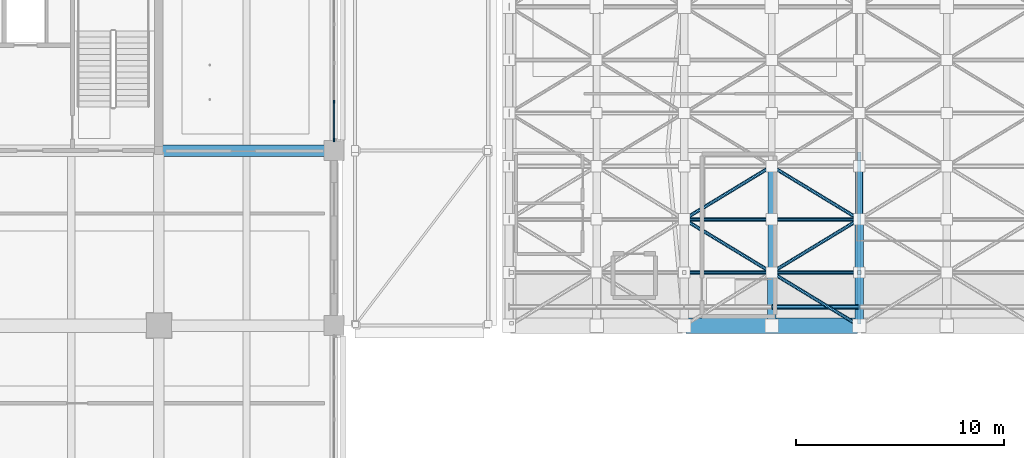
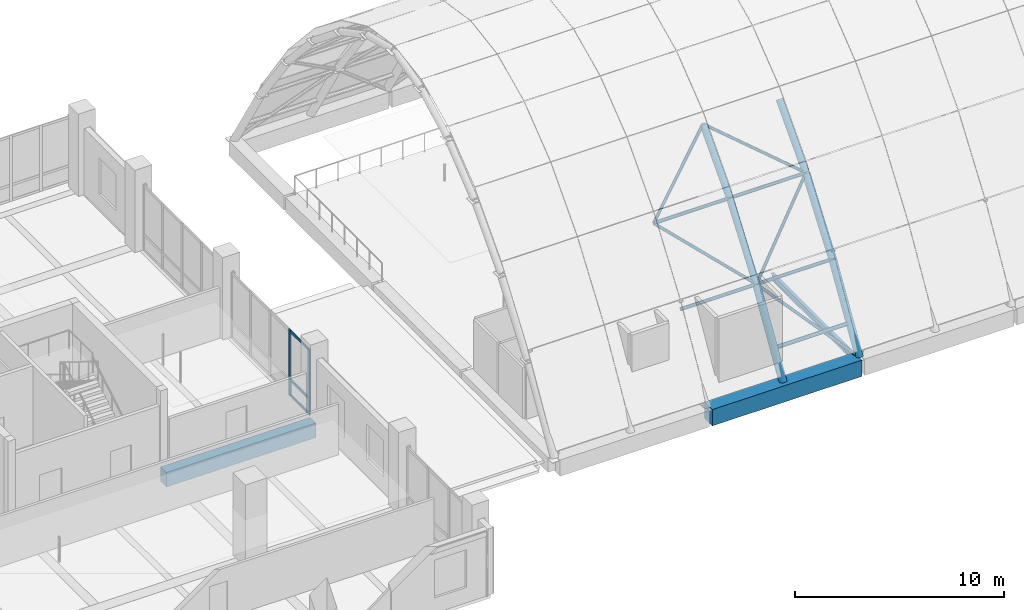
# One storey, part 23 of 128: 18 members, 6 beams, 1 element without a shape of its own.
"""IFC4 building model written with IfcOpenShell, lengths in metres."""

from ifc_helpers import new_model, si_unit, direction, frame, origin, origin_2d, place, context, subcontext, project, spatial, rectangle, hollow_circle, i_section, extrude, material, layer, layer_set, material_profile, profile_set, type_object, element, aggregate, save


model = new_model("IFC4")

# Units and contexts
model_context = context("Model", 3, precision=1e-05, world=origin(), true_north=direction((0.0, 1.0)))
body_context = subcontext(model_context, "Body", "Model", "MODEL_VIEW")
ifc_project = project(units=[si_unit("LENGTHUNIT", "METRE"), si_unit("AREAUNIT", "SQUARE_METRE"), si_unit("VOLUMEUNIT", "CUBIC_METRE"), si_unit("PLANEANGLEUNIT", "RADIAN"), si_unit("MASSUNIT", "GRAM", prefix="KILO")], contexts=[model_context])

# Site, building, storey
site_placement = place(None, origin())
site = spatial("IfcSite", under=ifc_project, at=site_placement, CompositionType="ELEMENT")
building_placement = place(site_placement, origin())
building = spatial("IfcBuilding", under=site, at=building_placement, Name="Telukmera Botanical Conservatory", CompositionType="ELEMENT")
storey_placement = place(building_placement, frame((0.0, 0.0, 5.39990234375)))
storey = spatial("IfcBuildingStorey", under=building, at=storey_placement, Name="L01", CompositionType="ELEMENT", Elevation=5.39990234375)

# Beams
ifc_material_1 = material(Name="Concrete C40/50", Category="concrete")
ifc_material_profile_1 = material_profile(ifc_material_1, rectangle(XDim=0.550048828125, YDim=0.85009765625, at=origin_2d()), Name="RC 550x850")
ifc_profile_set_1 = profile_set([ifc_material_profile_1], Name="Concrete C40/50")
beam_type_1 = type_object("IfcBeamType", Name="Beam_B4", PredefinedType="BEAM", material=ifc_profile_set_1)
beam_1_placement = place(storey_placement, frame((100.8798828125, 26.0, -0.4248046875), z_axis=(1.0, 0.0, 0.0), x_axis=(0.0, 1.0, 0.0)))
element("IfcBeam", 1, at=beam_1_placement, inside=storey, type_object=beam_type_1, Name="Tower Grid Beam L01", PredefinedType="BEAM", context=body_context, shape_type="SweptSolid", body=[
    extrude(rectangle(XDim=0.550048828125, YDim=0.85009765625, at=origin_2d()), origin(), (0.0, 0.0, 1.0), 8.240234375),
])
ifc_material_2 = material(Name="Steel S355", Category="steel")
ifc_material_profile_2 = material_profile(ifc_material_2, hollow_circle(Radius=0.203125, WallThickness=0.01611328125, at=origin_2d()), Name="CHS 406.4x16.0")
ifc_profile_set_2 = profile_set([ifc_material_profile_2], Name="Steel S355")
beam_type_2 = type_object("IfcBeamType", Name="Beam_GA1", PredefinedType="BEAM", material=ifc_profile_set_2)
beam_2_placement = place(storey_placement, frame((134.39990234375, 17.60009765625, -0.079833984375), z_axis=(0.0, 0.5205024389, 0.853860182406), x_axis=(-1.0, 0.0, 0.0)))
element("IfcBeam", 2, at=beam_2_placement, inside=storey, type_object=beam_type_2, Name="Conservatory Gridshell Primary Arch Rib A04-00", PredefinedType="BEAM", context=body_context, shape_type="SweptSolid", body=[
    extrude(hollow_circle(Radius=0.203125, WallThickness=0.01611328125, at=origin_2d()), origin(), (0.0, 0.0, 1.0), 4.879150390625),
])
beam_3_placement = place(storey_placement, frame((134.39990234375, 20.161865234375, 4.119384765625), z_axis=(0.0, 0.591606531355, 0.806226836603), x_axis=(-1.0, 0.0, 0.0)))
element("IfcBeam", 3, at=beam_3_placement, inside=storey, type_object=beam_type_2, Name="Conservatory Gridshell Primary Arch Rib A04-01", PredefinedType="BEAM", context=body_context, shape_type="SweptSolid", body=[
    extrude(hollow_circle(Radius=0.203125, WallThickness=0.01611328125, at=origin_2d()), origin(), (0.0, 0.0, 1.0), 4.270263671875),
])
ifc_material_profile_3 = material_profile(ifc_material_2, hollow_circle(Radius=0.177734375, WallThickness=0.012451171875, at=origin_2d()), Name="CHS 355.6x12.5")
ifc_profile_set_3 = profile_set([ifc_material_profile_3], Name="Steel S355")
beam_type_3 = type_object("IfcBeamType", Name="Beam_GA2", PredefinedType="BEAM", material=ifc_profile_set_3)
beam_4_placement = place(storey_placement, frame((134.39990234375, 22.713623046875, 7.593017578125), z_axis=(0.0, 0.677596185256, 0.7354341641), x_axis=(-1.0, 0.0, 0.0)))
element("IfcBeam", 4, at=beam_4_placement, inside=storey, type_object=beam_type_3, Name="Conservatory Gridshell Primary Arch Rib A04-02", PredefinedType="BEAM", context=body_context, shape_type="SweptSolid", body=[
    extrude(hollow_circle(Radius=0.177734375, WallThickness=0.012451171875, at=origin_2d()), origin(), (0.0, 0.0, 1.0), 3.722900390625),
])
ifc_material_profile_4 = material_profile(ifc_material_1, rectangle(XDim=0.75, YDim=0.949951171875, at=origin_2d()), Name="RC 750x950")
ifc_profile_set_4 = profile_set([ifc_material_profile_4], Name="Concrete C40/50")
beam_type_4 = type_object("IfcBeamType", Name="Beam_RB1", PredefinedType="BEAM", material=ifc_profile_set_4)
beam_5_placement = place(storey_placement, frame((126.080078125, 17.60009765625, -0.474853515625), z_axis=(1.0, 0.0, 0.0), x_axis=(0.0, 1.0, 0.0)))
element("IfcBeam", 5, at=beam_5_placement, inside=storey, type_object=beam_type_4, Name="Conservatory Beam beam:V1:L01:rb_x:176:1260", PredefinedType="BEAM", context=body_context, shape_type="SweptSolid", body=[
    extrude(rectangle(XDim=0.75, YDim=0.949951171875, at=origin_2d()), origin(), (0.0, 0.0, 1.0), 8.239990234375),
])
ifc_material_profile_5 = material_profile(ifc_material_2, i_section(OverallWidth=0.172119140625, OverallDepth=0.35791015625, WebThickness=0.008056640625, FlangeThickness=0.012939453125, FilletRadius=0.01025390625, at=origin_2d()), Name="UB 356x171x57")
ifc_profile_set_5 = profile_set([ifc_material_profile_5], Name="Steel S355")
beam_type_5 = type_object("IfcBeamType", Name="Beam_SB5", PredefinedType="JOIST", material=ifc_profile_set_5)
beam_6_placement = place(storey_placement, frame((134.39990234375, 17.679931640625, -0.37890625), z_axis=(0.0, 1.0, 0.0), x_axis=(-1.0, 0.0, 0.0)))
element("IfcBeam", 6, at=beam_6_placement, inside=storey, type_object=beam_type_5, Name="Conservatory Skywalk Transverse Steel Beam", PredefinedType="JOIST", context=body_context, shape_type="SweptSolid", body=[
    extrude(i_section(OverallWidth=0.172119140625, OverallDepth=0.35791015625, WebThickness=0.008056640625, FlangeThickness=0.012939453125, FilletRadius=0.01025390625, at=origin_2d()), origin(), (0.0, 0.0, 1.0), 8.239990234375),
])

# Curtain wall, members
ifc_material_3 = material(Name="Anodised aluminium 6063-T6", Category="aluminium")
ifc_layer = layer(ifc_material_3, 0.179931640625)
ifc_layer_set = layer_set([ifc_layer], Name="Anodised aluminium 6063-T6")
curtain_wall_type = type_object("IfcCurtainWallType", Name="Tower Reference Library Curtain Wall", PredefinedType="USERDEFINED", material=ifc_layer_set)
curtain_wall_placement = place(storey_placement, origin())
curtain_wall = element("IfcCurtainWall", 7, at=curtain_wall_placement, inside=storey, type_object=curtain_wall_type, Name="Unitised Curtain Wall CW13 V4:L01:E3", ObjectType="UNITISED CURTAIN WALL", PredefinedType="USERDEFINED")
ifc_material_profile_6 = material_profile(ifc_material_3, rectangle(XDim=0.06494140625, YDim=0.159912109375, at=origin_2d()), Name="ALU MULL 65x160")
ifc_profile_set_6 = profile_set([ifc_material_profile_6], Name="Anodised aluminium 6063-T6")
member_type_1 = type_object("IfcMemberType", Name="Curtain Wall Extruded Mullion 65x160", PredefinedType="MULLION", material=ifc_profile_set_6)
member_1_placement = place(storey_placement, frame((109.199951171875, 26.509521484375, 0.0), z_axis=(0.0, 0.0, 1.0), x_axis=(-1.0, 0.0, 0.0)))
member_1 = element("IfcMember", 8, at=member_1_placement, type_object=member_type_1, Name="CW13 mullion 1", PredefinedType="MULLION", context=body_context, shape_type="SweptSolid", body=[
    extrude(rectangle(XDim=0.06494140625, YDim=0.159912109375, at=origin_2d()), origin(), (0.0, 0.0, 1.0), 3.85009765625),
])
member_2_placement = place(storey_placement, frame((109.199951171875, 28.33837890625, 0.0), z_axis=(0.0, 0.0, 1.0), x_axis=(-1.0, 0.0, 0.0)))
member_2 = element("IfcMember", 9, at=member_2_placement, type_object=member_type_1, Name="CW13 mullion 2", PredefinedType="MULLION", context=body_context, shape_type="SweptSolid", body=[
    extrude(rectangle(XDim=0.06494140625, YDim=0.159912109375, at=origin_2d()), origin(), (0.0, 0.0, 1.0), 3.85009765625),
])
ifc_material_profile_7 = material_profile(ifc_material_3, rectangle(XDim=0.06494140625, YDim=0.1298828125, at=origin_2d()), Name="ALU TRAN 65x130")
ifc_profile_set_7 = profile_set([ifc_material_profile_7], Name="Anodised aluminium 6063-T6")
member_type_2 = type_object("IfcMemberType", Name="Curtain Wall Extruded Transom 65x130", PredefinedType="USERDEFINED", material=ifc_profile_set_7)
member_3_placement = place(storey_placement, frame((109.199951171875, 26.5419921875, 0.065185546875), z_axis=(0.0, 1.0, 0.0), x_axis=(-1.0, 0.0, 0.0)))
member_3 = element("IfcMember", 10, at=member_3_placement, type_object=member_type_2, Name="CW13 transom 1.1", ObjectType="TRANSOM", PredefinedType="USERDEFINED", context=body_context, shape_type="SweptSolid", body=[
    extrude(rectangle(XDim=0.06494140625, YDim=0.1298828125, at=origin_2d()), origin(), (0.0, 0.0, 1.0), 1.763916015625),
])
member_4_placement = place(storey_placement, frame((109.199951171875, 26.5419921875, 0.9501953125), z_axis=(0.0, 1.0, 0.0), x_axis=(-1.0, 0.0, 0.0)))
member_4 = element("IfcMember", 11, at=member_4_placement, type_object=member_type_2, Name="CW13 transom 1.2", ObjectType="TRANSOM", PredefinedType="USERDEFINED", context=body_context, shape_type="SweptSolid", body=[
    extrude(rectangle(XDim=0.06494140625, YDim=0.1298828125, at=origin_2d()), origin(), (0.0, 0.0, 1.0), 1.763916015625),
])
member_5_placement = place(storey_placement, frame((109.199951171875, 26.5419921875, 3.78515625), z_axis=(0.0, 1.0, 0.0), x_axis=(-1.0, 0.0, 0.0)))
member_5 = element("IfcMember", 12, at=member_5_placement, type_object=member_type_2, Name="CW13 transom 1.3", ObjectType="TRANSOM", PredefinedType="USERDEFINED", context=body_context, shape_type="SweptSolid", body=[
    extrude(rectangle(XDim=0.06494140625, YDim=0.1298828125, at=origin_2d()), origin(), (0.0, 0.0, 1.0), 1.763916015625),
])
aggregate(curtain_wall, [member_1, member_2, member_3, member_4, member_5])

# Members
ifc_material_profile_8 = material_profile(ifc_material_2, hollow_circle(Radius=0.084228515625, WallThickness=0.008056640625, at=origin_2d()), Name="CHS 168.3x8.0")
ifc_profile_set_8 = profile_set([ifc_material_profile_8], Name="Steel S355")
member_type_3 = type_object("IfcMemberType", Name="Mem_GBX1", PredefinedType="USERDEFINED", material=ifc_profile_set_8)
member_6_placement = place(storey_placement, frame((130.189453125, 20.156494140625, 4.11181640625), z_axis=(-0.697882692567, 0.423695562374, 0.577444211885), x_axis=(-0.518961193204, -0.854797800622, 0.0)))
element("IfcMember", 13, at=member_6_placement, inside=storey, type_object=member_type_3, Name="Conservatory Gridshell Diagrid Lacing Rib D02-01", ObjectType="GRIDSHELL_RIB", PredefinedType="USERDEFINED", context=body_context, shape_type="SweptSolid", body=[
    extrude(hollow_circle(Radius=0.084228515625, WallThickness=0.008056640625, at=origin_2d()), origin(), (0.0, 0.0, 1.0), 5.988037109375),
])
member_7_placement = place(storey_placement, frame((126.01123046875, 22.706787109375, 7.585693359375), z_axis=(0.74477124096, 0.452190311632, 0.490754236563), x_axis=(-0.518984652148, 0.854783557888, 0.0)))
element("IfcMember", 14, at=member_7_placement, inside=storey, type_object=member_type_3, Name="Conservatory Gridshell Diagrid Lacing Rib D02-02", ObjectType="GRIDSHELL_RIB", PredefinedType="USERDEFINED", context=body_context, shape_type="SweptSolid", body=[
    extrude(hollow_circle(Radius=0.084228515625, WallThickness=0.008056640625, at=origin_2d()), origin(), (0.0, 0.0, 1.0), 5.609130859375),
])
member_8_placement = place(storey_placement, frame((134.39990234375, 17.60009765625, -0.079833984375), z_axis=(-0.650865922771, 0.395153697796, 0.648249262008), x_axis=(-0.518963837977, -0.854796194933, 0.0)))
element("IfcMember", 15, at=member_8_placement, inside=storey, type_object=member_type_3, Name="Conservatory Gridshell Diagrid Lacing Rib D03-00", ObjectType="GRIDSHELL_RIB", PredefinedType="USERDEFINED", context=body_context, shape_type="SweptSolid", body=[
    extrude(hollow_circle(Radius=0.084228515625, WallThickness=0.008056640625, at=origin_2d()), origin(), (0.0, 0.0, 1.0), 6.437744140625),
])
member_9_placement = place(storey_placement, frame((130.21044921875, 20.156494140625, 4.11181640625), z_axis=(0.697882692567, 0.423695562374, 0.577444211885), x_axis=(-0.518961193204, 0.854797800622, 0.0)))
element("IfcMember", 16, at=member_9_placement, inside=storey, type_object=member_type_3, Name="Conservatory Gridshell Diagrid Lacing Rib D03-01", ObjectType="GRIDSHELL_RIB", PredefinedType="USERDEFINED", context=body_context, shape_type="SweptSolid", body=[
    extrude(hollow_circle(Radius=0.084228515625, WallThickness=0.008056640625, at=origin_2d()), origin(), (0.0, 0.0, 1.0), 5.988037109375),
])
member_10_placement = place(storey_placement, frame((134.388916015625, 22.706787109375, 7.585693359375), z_axis=(-0.744790622778, 0.452175653345, 0.49073832818), x_axis=(-0.518962491813, -0.854797012215, 0.0)))
element("IfcMember", 17, at=member_10_placement, inside=storey, type_object=member_type_3, Name="Conservatory Gridshell Diagrid Lacing Rib D03-02", ObjectType="GRIDSHELL_RIB", PredefinedType="USERDEFINED", context=body_context, shape_type="SweptSolid", body=[
    extrude(hollow_circle(Radius=0.084228515625, WallThickness=0.008056640625, at=origin_2d()), origin(), (0.0, 0.0, 1.0), 5.609375),
])
ifc_material_profile_9 = material_profile(ifc_material_2, hollow_circle(Radius=0.203125, WallThickness=0.01611328125, at=origin_2d()), Name="CHS 406.4x16.0")
ifc_profile_set_9 = profile_set([ifc_material_profile_9], Name="Steel S355")
member_type_4 = type_object("IfcMemberType", Name="Mem_GM1", PredefinedType="USERDEFINED", material=ifc_profile_set_9)
member_11_placement = place(storey_placement, frame((130.199951171875, 17.60009765625, -0.079833984375), z_axis=(0.0, 0.5205024389, 0.853860182406), x_axis=(-1.0, 0.0, 0.0)))
element("IfcMember", 18, at=member_11_placement, inside=storey, type_object=member_type_4, Name="Conservatory Gridshell Arch Segment A03-00", ObjectType="ARCH_SEGMENT", PredefinedType="USERDEFINED", context=body_context, shape_type="SweptSolid", body=[
    extrude(hollow_circle(Radius=0.203125, WallThickness=0.01611328125, at=origin_2d()), origin(), (0.0, 0.0, 1.0), 4.879150390625),
])
ifc_material_profile_10 = material_profile(ifc_material_2, hollow_circle(Radius=0.177734375, WallThickness=0.012451171875, at=origin_2d()), Name="CHS 355.6x12.5")
ifc_profile_set_10 = profile_set([ifc_material_profile_10], Name="Steel S355")
member_type_5 = type_object("IfcMemberType", Name="Mem_GM2", PredefinedType="USERDEFINED", material=ifc_profile_set_10)
member_12_placement = place(storey_placement, frame((130.199951171875, 20.161865234375, 4.119384765625), z_axis=(0.0, 0.591606531355, 0.806226836603), x_axis=(-1.0, 0.0, 0.0)))
element("IfcMember", 19, at=member_12_placement, inside=storey, type_object=member_type_5, Name="Conservatory Gridshell Arch Segment A03-01", ObjectType="ARCH_SEGMENT", PredefinedType="USERDEFINED", context=body_context, shape_type="SweptSolid", body=[
    extrude(hollow_circle(Radius=0.177734375, WallThickness=0.012451171875, at=origin_2d()), origin(), (0.0, 0.0, 1.0), 4.270263671875),
])
member_13_placement = place(storey_placement, frame((130.199951171875, 22.713623046875, 7.593017578125), z_axis=(0.0, 0.677596185256, 0.7354341641), x_axis=(-1.0, 0.0, 0.0)))
element("IfcMember", 20, at=member_13_placement, inside=storey, type_object=member_type_5, Name="Conservatory Gridshell Arch Segment A03-02", ObjectType="ARCH_SEGMENT", PredefinedType="USERDEFINED", context=body_context, shape_type="SweptSolid", body=[
    extrude(hollow_circle(Radius=0.177734375, WallThickness=0.012451171875, at=origin_2d()), origin(), (0.0, 0.0, 1.0), 3.722900390625),
])
ifc_material_profile_11 = material_profile(ifc_material_2, hollow_circle(Radius=0.109619140625, WallThickness=0.010009765625, at=origin_2d()), Name="CHS 219.1x10.0")
ifc_profile_set_11 = profile_set([ifc_material_profile_11], Name="Steel S355")
member_type_6 = type_object("IfcMemberType", Name="Mem_GP1", PredefinedType="PURLIN", material=ifc_profile_set_11)
member_14_placement = place(storey_placement, frame((130.219970703125, 18.492431640625, 1.38427734375), z_axis=(1.0, 0.0, 0.0), x_axis=(0.0, 1.0, 0.0)))
element("IfcMember", 21, at=member_14_placement, inside=storey, type_object=member_type_6, Name="Conservatory Gridshell Longitudinal Rib P03-00", PredefinedType="PURLIN", context=body_context, shape_type="SweptSolid", body=[
    extrude(hollow_circle(Radius=0.109619140625, WallThickness=0.010009765625, at=origin_2d()), origin(), (0.0, 0.0, 1.0), 4.159912109375),
])
ifc_material_profile_12 = material_profile(ifc_material_2, hollow_circle(Radius=0.096923828125, WallThickness=0.008056640625, at=origin_2d()), Name="CHS 193.7x8.0")
ifc_profile_set_12 = profile_set([ifc_material_profile_12], Name="Steel S355")
member_type_7 = type_object("IfcMemberType", Name="Mem_GP2", PredefinedType="PURLIN", material=ifc_profile_set_12)
for number, where, z_axis, x_axis, name in (
    (22, (126.02001953125, 20.14990234375, 4.103271484375), (1.0, 0.0, 0.0), (0.0, 1.0, 0.0), "Conservatory Gridshell Longitudinal Rib P02-01"),
    (23, (126.02001953125, 22.699951171875, 7.578369140625), (1.0, 0.0, 0.0), (0.0, 1.0, 0.0), "Conservatory Gridshell Longitudinal Rib P02-02"),
    (24, (130.219970703125, 20.14990234375, 4.103271484375), (1.0, 0.0, 0.0), (0.0, 1.0, 0.0), "Conservatory Gridshell Longitudinal Rib P03-01"),
    (25, (130.219970703125, 22.699951171875, 7.578369140625), (1.0, 0.0, 0.0), (0.0, 1.0, 0.0), "Conservatory Gridshell Longitudinal Rib P03-02"),
):
    element("IfcMember", number, at=place(storey_placement, frame(where, z_axis=z_axis, x_axis=x_axis)), inside=storey, type_object=member_type_7, Name=name, PredefinedType="PURLIN", context=body_context, shape_type="SweptSolid", body=[
        extrude(hollow_circle(Radius=0.096923828125, WallThickness=0.008056640625, at=origin_2d()), origin(), (0.0, 0.0, 1.0), 4.159912109375),
    ])

save(model, "model.ifc")
